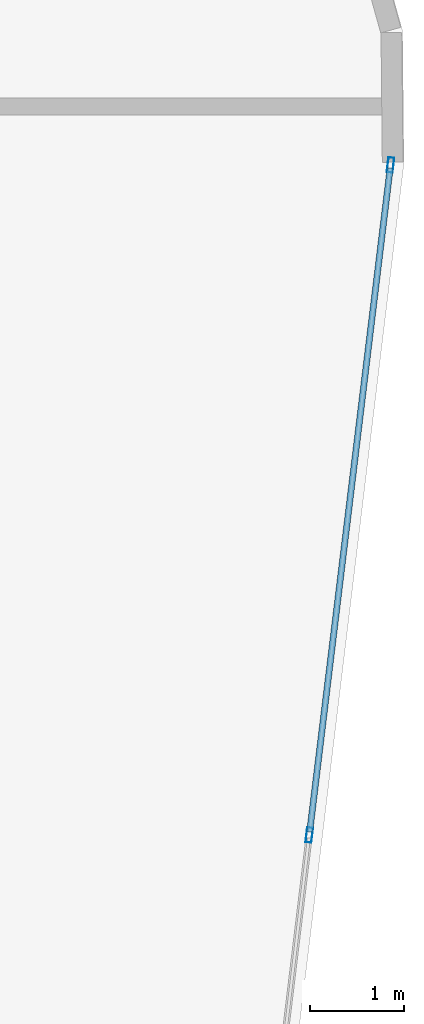
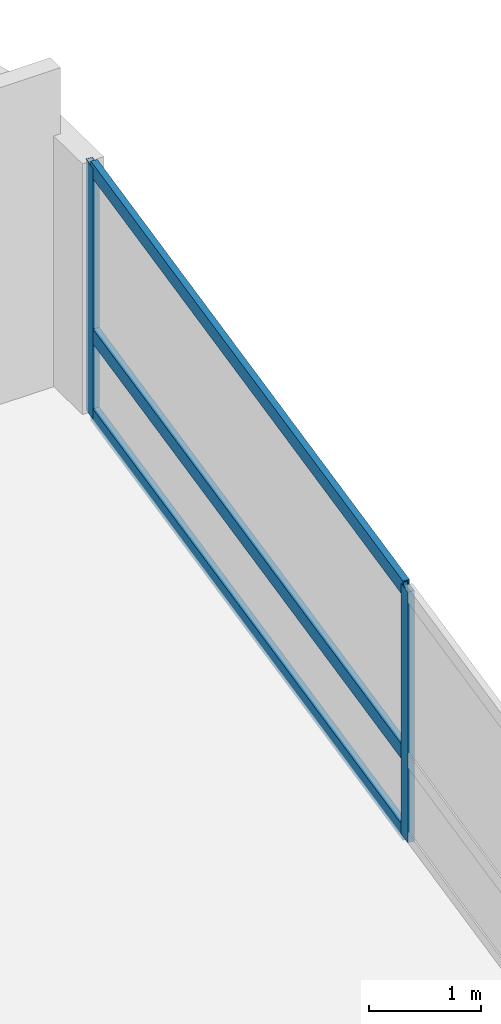
# One storey, part 18 of 25: 5 members, 1 element without a shape of its own.
"""IFC4 building model written with IfcOpenShell, lengths in metres."""

from ifc_helpers import new_model, si_unit, direction, frame, origin, origin_2d, place, context, subcontext, project, spatial, hollow_rectangle, extrude, material, layer, layer_set, material_profile, profile_set, type_object, element, aggregate, save


model = new_model("IFC4")

# Units and contexts
model_context = context("Model", 3, precision=1e-05, world=origin(), true_north=direction((0.0, 1.0)))
body_context = subcontext(model_context, "Body", "Model", "MODEL_VIEW")
ifc_project = project(units=[si_unit("LENGTHUNIT", "METRE"), si_unit("AREAUNIT", "SQUARE_METRE"), si_unit("VOLUMEUNIT", "CUBIC_METRE"), si_unit("PLANEANGLEUNIT", "RADIAN"), si_unit("MASSUNIT", "GRAM", prefix="KILO")], contexts=[model_context])

# Site, building, storey
site_placement = place(None, origin())
site = spatial("IfcSite", under=ifc_project, at=site_placement, CompositionType="ELEMENT")
building_placement = place(site_placement, origin())
building = spatial("IfcBuilding", under=site, at=building_placement, Name="Varnelok Gate Tower", CompositionType="ELEMENT")
storey_placement = place(building_placement, frame((0.0, 0.0, 136.5)))
storey = spatial("IfcBuildingStorey", under=building, at=storey_placement, Name="L34", CompositionType="ELEMENT", Elevation=136.5)

# Curtain wall, members
ifc_material = material(Name="Anodized Aluminum Alloy 6063-T6", Category="aluminium")
ifc_layer = layer(ifc_material, 0.179931640625)
ifc_layer_set = layer_set([ifc_layer], Name="Anodized Aluminum Alloy 6063-T6")
curtain_wall_type = type_object("IfcCurtainWallType", Name="CW3-HOTEL-VISION", PredefinedType="USERDEFINED", material=ifc_layer_set)
curtain_wall_placement = place(storey_placement, origin())
curtain_wall = element("IfcCurtainWall", 1, at=curtain_wall_placement, inside=storey, type_object=curtain_wall_type, Name="L34 East End Vision Curtain Wall", ObjectType="UNITISED CURTAIN WALL", PredefinedType="USERDEFINED")
ifc_material_profile_1 = material_profile(ifc_material, hollow_rectangle(XDim=0.06494140625, YDim=0.159912109375, WallThickness=0.00390625, at=origin_2d()), Name="ALU160X65X4")
ifc_profile_set_1 = profile_set([ifc_material_profile_1], Name="Anodized Aluminum Alloy 6063-T6")
member_type_1 = type_object("IfcMemberType", Name="CW-MULL-160", PredefinedType="MULLION", material=ifc_profile_set_1)
member_1_placement = place(storey_placement, frame((78.153076171875, 38.677001953125, 0.0), z_axis=(0.0, 0.0, 1.0), x_axis=(0.99273188146, -0.120347046212, 0.0)))
member_1 = element("IfcMember", 2, at=member_1_placement, type_object=member_type_1, Name="CW3 mullion 1", PredefinedType="MULLION", context=body_context, shape_type="SweptSolid", body=[
    extrude(hollow_rectangle(XDim=0.06494140625, YDim=0.159912109375, WallThickness=0.00390625, at=origin_2d()), origin(), (0.0, 0.0, 1.0), 2.72998046875),
])
member_2_placement = place(storey_placement, frame((77.290283203125, 31.5615234375, 0.0), z_axis=(0.0, 0.0, 1.0), x_axis=(0.99273188146, -0.120347046212, 0.0)))
member_2 = element("IfcMember", 3, at=member_2_placement, type_object=member_type_1, Name="CW3 mullion 2", PredefinedType="MULLION", context=body_context, shape_type="SweptSolid", body=[
    extrude(hollow_rectangle(XDim=0.06494140625, YDim=0.159912109375, WallThickness=0.00390625, at=origin_2d()), origin(), (0.0, 0.0, 1.0), 2.72998046875),
])
ifc_material_profile_2 = material_profile(ifc_material, hollow_rectangle(XDim=0.06494140625, YDim=0.159912109375, WallThickness=0.00390625, at=origin_2d()), Name="ALU160X65X4")
ifc_profile_set_2 = profile_set([ifc_material_profile_2], Name="Anodized Aluminum Alloy 6063-T6")
member_type_2 = type_object("IfcMemberType", Name="CW-TRAN-160", PredefinedType="USERDEFINED", material=ifc_profile_set_2)
member_3_placement = place(storey_placement, frame((78.149169921875, 38.644775390625, 0.032470703125), z_axis=(-0.120374481497, -0.992728555147, 0.0), x_axis=(0.992728555147, -0.120374481497, 0.0)))
member_3 = element("IfcMember", 4, at=member_3_placement, type_object=member_type_2, Name="CW3 transom 1.1", ObjectType="TRANSOM", PredefinedType="USERDEFINED", context=body_context, shape_type="SweptSolid", body=[
    extrude(hollow_rectangle(XDim=0.06494140625, YDim=0.159912109375, WallThickness=0.00390625, at=origin_2d()), origin(), (0.0, 0.0, 1.0), 7.102783203125),
])
member_4_placement = place(storey_placement, frame((78.149169921875, 38.644775390625, 0.89990234375), z_axis=(-0.120374481497, -0.992728555147, 0.0), x_axis=(0.992728555147, -0.120374481497, 0.0)))
member_4 = element("IfcMember", 5, at=member_4_placement, type_object=member_type_2, Name="CW3 transom 1.2", ObjectType="TRANSOM", PredefinedType="USERDEFINED", context=body_context, shape_type="SweptSolid", body=[
    extrude(hollow_rectangle(XDim=0.06494140625, YDim=0.159912109375, WallThickness=0.00390625, at=origin_2d()), origin(), (0.0, 0.0, 1.0), 7.102783203125),
])
member_5_placement = place(storey_placement, frame((78.149169921875, 38.644775390625, 2.697509765625), z_axis=(-0.120374481497, -0.992728555147, 0.0), x_axis=(0.992728555147, -0.120374481497, 0.0)))
member_5 = element("IfcMember", 6, at=member_5_placement, type_object=member_type_2, Name="CW3 transom 1.3", ObjectType="TRANSOM", PredefinedType="USERDEFINED", context=body_context, shape_type="SweptSolid", body=[
    extrude(hollow_rectangle(XDim=0.06494140625, YDim=0.159912109375, WallThickness=0.00390625, at=origin_2d()), origin(), (0.0, 0.0, 1.0), 7.102783203125),
])
aggregate(curtain_wall, [member_1, member_2, member_3, member_4, member_5])

save(model, "model.ifc")
